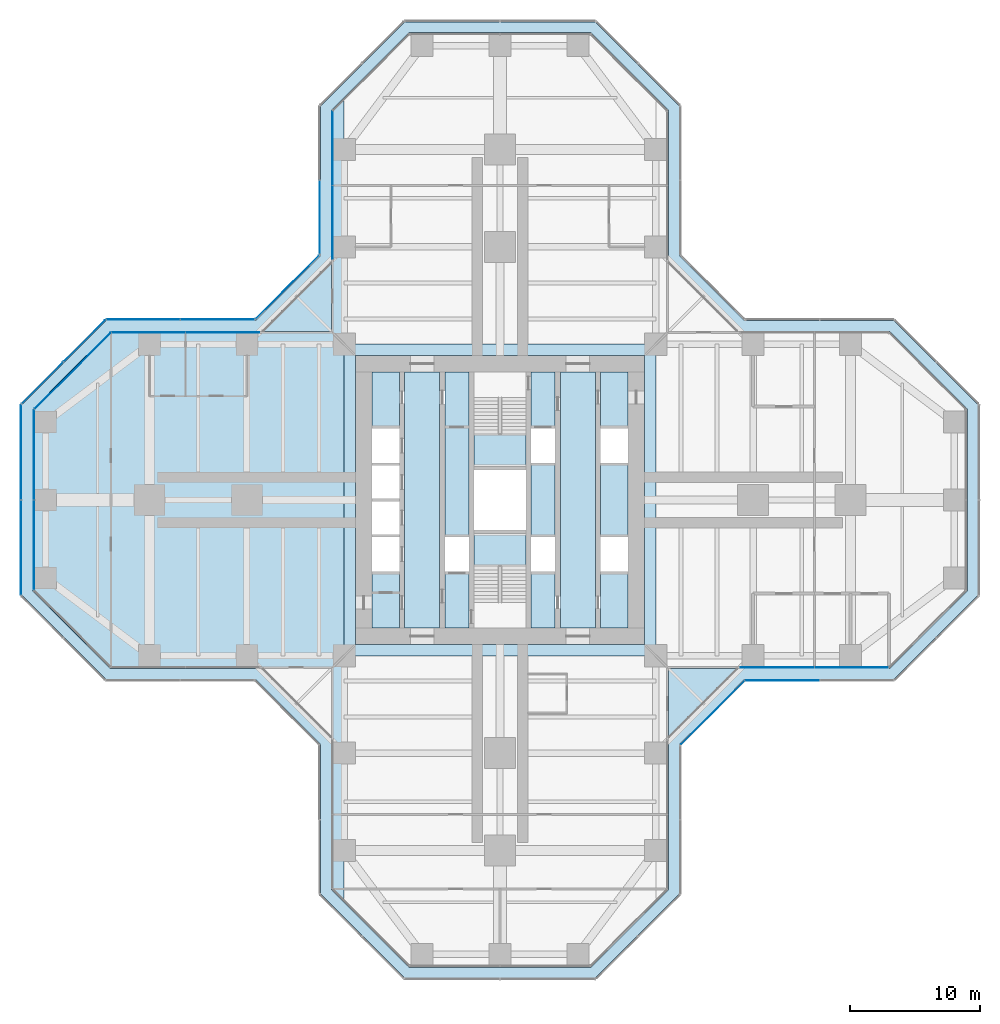
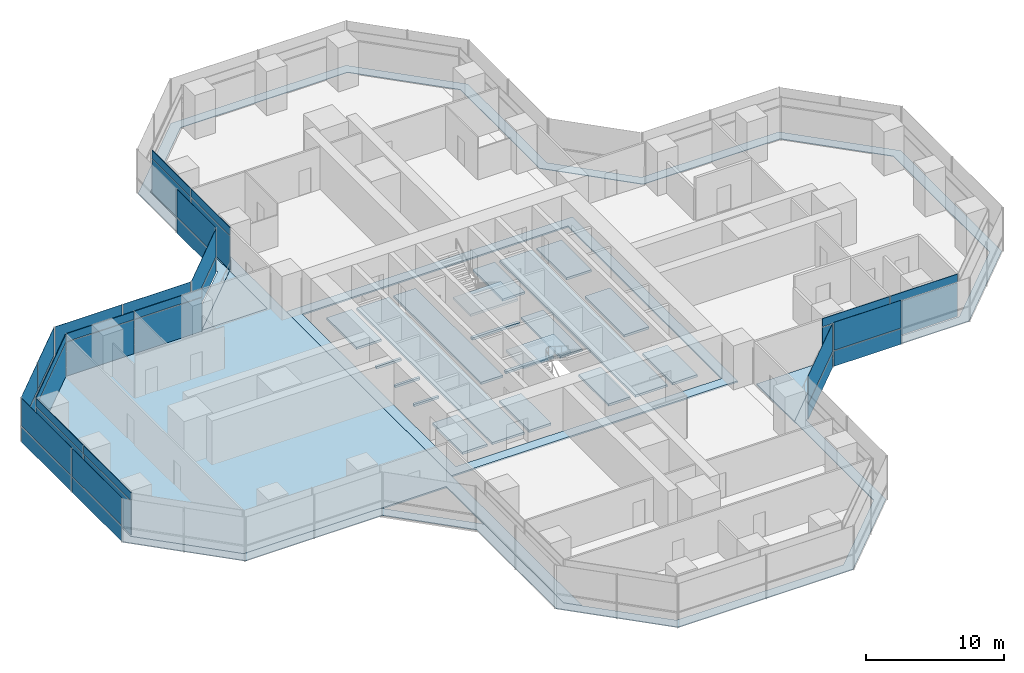
# One storey, part 15 of 22: 39 plates, 7 slabs, 14 elements without a shape of their own.
"""IFC4 building model written with IfcOpenShell, lengths in metres."""

from ifc_helpers import new_model, si_unit, direction, frame, origin, origin_2d, place, context, subcontext, project, spatial, polyline, rectangle, outline, extrude, material, layer, layer_set, type_object, element, aggregate, save


model = new_model("IFC4")

# Units and contexts
model_context = context("Model", 3, precision=1e-05, world=origin(), true_north=direction((0.0, 1.0)))
body_context = subcontext(model_context, "Body", "Model", "MODEL_VIEW")
ifc_project = project(units=[si_unit("LENGTHUNIT", "METRE"), si_unit("AREAUNIT", "SQUARE_METRE"), si_unit("VOLUMEUNIT", "CUBIC_METRE"), si_unit("PLANEANGLEUNIT", "RADIAN"), si_unit("MASSUNIT", "GRAM", prefix="KILO")], contexts=[model_context])

# Site, building, storey
site_placement = place(None, origin())
site = spatial("IfcSite", under=ifc_project, at=site_placement, CompositionType="ELEMENT")
building_placement = place(site_placement, origin())
building = spatial("IfcBuilding", under=site, at=building_placement, Name="Mizan Broadcast Tower", CompositionType="ELEMENT")
storey_placement = place(building_placement, frame((0.0, 0.0, 82.5)))
storey = spatial("IfcBuildingStorey", under=building, at=storey_placement, Name="L17", CompositionType="ELEMENT", Elevation=82.5)

# Plate
ifc_material_1 = material(Name="Aluminium grating", Category="aluminium")
ifc_layer_1 = layer(ifc_material_1, 0.050048828125)
ifc_layer_set_1 = layer_set([ifc_layer_1], Name="Aluminium grating")
plate_type_1 = type_object("IfcPlateType", Name="CAVITY GRATING", PredefinedType="USERDEFINED", material=ifc_layer_set_1)
plate_1_placement = place(storey_placement, frame((0.0, 0.0, -0.050048828125)))
element("IfcPlate", 1, at=plate_1_placement, inside=storey, type_object=plate_type_1, Name="Cavity grating L17", ObjectType="GRATING", PredefinedType="USERDEFINED", context=body_context, shape_type="SweptSolid", body=[
    extrude(outline(polyline([(13.820068359375, -18.839599609375), (18.839599609375, -13.820068359375), (30.339599609375, -13.820068359375), (36.820068359375, -7.339599609375), (36.820068359375, 7.339599609375), (30.339599609375, 13.820068359375), (18.839599609375, 13.820068359375), (13.820068359375, 18.839599609375), (13.820068359375, 30.339599609375), (7.339599609375, 36.820068359375), (-7.339599609375, 36.820068359375), (-13.820068359375, 30.339599609375), (-13.820068359375, 18.839599609375), (-18.839599609375, 13.820068359375), (-30.339599609375, 13.820068359375), (-36.820068359375, 7.339599609375), (-36.820068359375, -7.339599609375), (-30.339599609375, -13.820068359375), (-18.839599609375, -13.820068359375), (-13.820068359375, -18.839599609375), (-13.820068359375, -30.339599609375), (-7.339599609375, -36.820068359375), (7.339599609375, -36.820068359375), (13.820068359375, -30.339599609375), (13.820068359375, -18.839599609375)]), holes=[polyline([(36.0, 7.0), (36.0, -7.0), (30.0, -13.0), (18.5, -13.0), (13.0, -18.5), (13.0, -30.0), (7.0, -36.0), (-7.0, -36.0), (-13.0, -30.0), (-13.0, -18.5), (-18.5, -13.0), (-30.0, -13.0), (-36.0, -7.0), (-36.0, 7.0), (-30.0, 13.0), (-18.5, 13.0), (-13.0, 18.5), (-13.0, 30.0), (-7.0, 36.0), (7.0, 36.0), (13.0, 30.0), (13.0, 18.5), (18.5, 13.0), (30.0, 13.0), (36.0, 7.0)])]), origin(), (0.0, 0.0, 1.0), 0.050048828125),
])

# Slabs
ifc_material_2 = material(Name="Concrete C32/40", Category="concrete")
ifc_layer_2 = layer(ifc_material_2, 0.1298828125)
ifc_layer_set_2 = layer_set([ifc_layer_2], Name="Concrete C32/40")
slab_type_1 = type_object("IfcSlabType", Name="COMPOSITE DECK SLAB 130", PredefinedType="FLOOR", material=ifc_layer_set_2)
slab_1_placement = place(storey_placement, frame((0.0, 0.0, -0.1298828125)))
element("IfcSlab", 2, at=slab_1_placement, inside=storey, type_object=slab_type_1, Name="Floor slab L17 centre", PredefinedType="FLOOR", context=body_context, shape_type="SweptSolid", body=[
    extrude(outline(polyline([(-12.0, -12.0), (12.0, -12.0), (12.0, 12.0), (-12.0, 12.0), (-12.0, -12.0)]), holes=[polyline([(-11.14990234375, 11.14990234375), (11.14990234375, 11.14990234375), (11.14990234375, -11.14990234375), (-11.14990234375, -11.14990234375), (-11.14990234375, 11.14990234375)])]), origin(), (0.0, 0.0, 1.0), 0.1298828125),
])
slab_2_placement = place(storey_placement, frame((0.0, 0.0, -0.1298828125)))
element("IfcSlab", 3, at=slab_2_placement, inside=storey, type_object=slab_type_1, Name="Floor slab L17 west arm", PredefinedType="FLOOR", context=body_context, shape_type="SweptSolid", body=[
    extrude(outline(polyline([(-13.0, -30.0), (-12.0, -31.0), (-12.0, 31.0), (-13.0, 30.0), (-13.0, 13.0), (-30.0, 13.0), (-36.0, 7.0), (-36.0, -7.0), (-30.0, -13.0), (-13.0, -13.0), (-13.0, -30.0)])), origin(), (0.0, 0.0, 1.0), 0.1298828125),
])
ifc_material_3 = material(Name="Concrete C40/50", Category="concrete")
ifc_layer_3 = layer(ifc_material_3, 0.199951171875)
ifc_layer_set_3 = layer_set([ifc_layer_3], Name="Concrete C40/50")
slab_type_2 = type_object("IfcSlabType", Name="CORE FLOOR 200", PredefinedType="FLOOR", material=ifc_layer_set_3)
slab_3_placement = place(storey_placement, frame((0.0, 0.0, -0.199951171875)))
element("IfcSlab", 4, at=slab_3_placement, inside=storey, type_object=slab_type_2, Name="Core floor L17", PredefinedType="FLOOR", context=body_context, shape_type="SweptSolid", body=[
    extrude(outline(polyline([(-9.85009765625, -9.85009765625), (-7.75, -9.85009765625), (-7.75, -5.5), (-9.85009765625, -5.5), (-9.85009765625, -9.85009765625)])), origin(), (0.0, 0.0, 1.0), 0.199951171875),
    extrude(outline(polyline([(-9.85009765625, -2.85009765625), (-7.75, -2.85009765625), (-7.75, -2.64990234375), (-9.85009765625, -2.64990234375), (-9.85009765625, -2.85009765625)])), origin(), (0.0, 0.0, 1.0), 0.199951171875),
    extrude(outline(polyline([(-9.85009765625, -0.10009765625), (-7.75, -0.10009765625), (-7.75, 0.10009765625), (-9.85009765625, 0.10009765625), (-9.85009765625, -0.10009765625)])), origin(), (0.0, 0.0, 1.0), 0.199951171875),
    extrude(outline(polyline([(-9.85009765625, 2.64990234375), (-7.75, 2.64990234375), (-7.75, 2.85009765625), (-9.85009765625, 2.85009765625), (-9.85009765625, 2.64990234375)])), origin(), (0.0, 0.0, 1.0), 0.199951171875),
    extrude(outline(polyline([(-9.85009765625, 5.5), (-7.75, 5.5), (-7.75, 9.85009765625), (-9.85009765625, 9.85009765625), (-9.85009765625, 5.5)])), origin(), (0.0, 0.0, 1.0), 0.199951171875),
    extrude(outline(polyline([(-4.64990234375, 9.85009765625), (-7.35009765625, 9.85009765625), (-7.35009765625, -9.85009765625), (-4.64990234375, -9.85009765625), (-4.64990234375, 9.85009765625)])), origin(), (0.0, 0.0, 1.0), 0.199951171875),
    extrude(outline(polyline([(-4.25, -5.5), (-4.25, -9.85009765625), (-2.39990234375, -9.85009765625), (-2.39990234375, -5.5), (-4.25, -5.5)])), origin(), (0.0, 0.0, 1.0), 0.199951171875),
    extrude(outline(polyline([(-4.25, -2.85009765625), (-2.39990234375, -2.85009765625), (-2.39990234375, 9.85009765625), (-4.25, 9.85009765625), (-4.25, -2.85009765625)])), origin(), (0.0, 0.0, 1.0), 0.199951171875),
    extrude(outline(polyline([(2.0, -2.324951171875), (-2.0, -2.324951171875), (-2.0, -2.574951171875), (2.0, -2.574951171875), (2.0, -2.324951171875)])), origin(), (0.0, 0.0, 1.0), 0.199951171875),
    extrude(outline(polyline([(2.0, 2.574951171875), (-2.0, 2.574951171875), (-2.0, 2.324951171875), (2.0, 2.324951171875), (2.0, 2.574951171875)])), origin(), (0.0, 0.0, 1.0), 0.199951171875),
    extrude(outline(polyline([(4.25, -9.85009765625), (4.25, -5.5), (2.39990234375, -5.5), (2.39990234375, -9.85009765625), (4.25, -9.85009765625)])), origin(), (0.0, 0.0, 1.0), 0.199951171875),
    extrude(outline(polyline([(4.25, -2.85009765625), (4.25, 2.85009765625), (2.39990234375, 2.85009765625), (2.39990234375, -2.85009765625), (4.25, -2.85009765625)])), origin(), (0.0, 0.0, 1.0), 0.199951171875),
    extrude(outline(polyline([(4.25, 5.5), (4.25, 9.85009765625), (2.39990234375, 9.85009765625), (2.39990234375, 5.5), (4.25, 5.5)])), origin(), (0.0, 0.0, 1.0), 0.199951171875),
    extrude(outline(polyline([(4.64990234375, 9.85009765625), (4.64990234375, -9.85009765625), (7.35009765625, -9.85009765625), (7.35009765625, 9.85009765625), (4.64990234375, 9.85009765625)])), origin(), (0.0, 0.0, 1.0), 0.199951171875),
    extrude(outline(polyline([(9.85009765625, -9.85009765625), (9.85009765625, -5.5), (7.75, -5.5), (7.75, -9.85009765625), (9.85009765625, -9.85009765625)])), origin(), (0.0, 0.0, 1.0), 0.199951171875),
    extrude(outline(polyline([(7.75, 2.85009765625), (7.75, -2.85009765625), (9.85009765625, -2.85009765625), (9.85009765625, 2.85009765625), (7.75, 2.85009765625)])), origin(), (0.0, 0.0, 1.0), 0.199951171875),
    extrude(outline(polyline([(9.85009765625, 5.5), (9.85009765625, 9.85009765625), (7.75, 9.85009765625), (7.75, 5.5), (9.85009765625, 5.5)])), origin(), (0.0, 0.0, 1.0), 0.199951171875),
])

# Curtain wall, plates
ifc_material_4 = material(Name="Aluminium framed glazing", Category="aluminium")
curtain_wall_type_1 = type_object("IfcCurtainWallType", Name="INNER SKIN LOW ZONE", PredefinedType="USERDEFINED", material=ifc_material_4)
curtain_wall_1_placement = place(storey_placement, origin())
curtain_wall_1 = element("IfcCurtainWall", 5, at=curtain_wall_1_placement, inside=storey, type_object=curtain_wall_type_1, Name="Inner skin low zone L17 E side", ObjectType="INNER SKIN LOW ZONE", PredefinedType="USERDEFINED")
ifc_material_5 = material(Name="Double glazing, clear low-e", Category="glass")
ifc_layer_4 = layer(ifc_material_5, 0.028076171875)
ifc_layer_set_4 = layer_set([ifc_layer_4], Name="Double glazing, clear low-e")
plate_type_2 = type_object("IfcPlateType", Name="INNER SKIN GLAZING UNIT", PredefinedType="CURTAIN_PANEL", material=ifc_layer_set_4)
plate_2_placement = place(storey_placement, frame((21.379638671875, -12.89990234375, 0.0), z_axis=(0.0, 0.0, 1.0), x_axis=(1.0, 0.0, 0.0)))
plate_2 = element("IfcPlate", 6, at=plate_2_placement, type_object=plate_type_2, Name="Inner skin low zone L17 E side panel 1.1", PredefinedType="CURTAIN_PANEL", context=body_context, shape_type="SweptSolid", body=[
    extrude(rectangle(XDim=5.639404296875, YDim=0.028076171875, at=origin_2d()), origin(), (0.0, 0.0, 1.0), 3.0),
])
plate_3_placement = place(storey_placement, frame((27.078857421875, -12.89990234375, 0.0), z_axis=(0.0, 0.0, 1.0), x_axis=(1.0, 0.0, 0.0)))
plate_3 = element("IfcPlate", 7, at=plate_3_placement, type_object=plate_type_2, Name="Inner skin low zone L17 E side panel 2.1", PredefinedType="CURTAIN_PANEL", context=body_context, shape_type="SweptSolid", body=[
    extrude(rectangle(XDim=5.639404296875, YDim=0.028076171875, at=origin_2d()), origin(), (0.0, 0.0, 1.0), 3.0),
])

curtain_wall_2_placement = place(storey_placement, origin())
curtain_wall_2 = element("IfcCurtainWall", 8, at=curtain_wall_2_placement, inside=storey, type_object=curtain_wall_type_1, Name="Inner skin low zone L17 N side", ObjectType="INNER SKIN LOW ZONE", PredefinedType="USERDEFINED")
plate_4_placement = place(storey_placement, frame((-12.89990234375, 27.078857421875, 0.0), z_axis=(0.0, 0.0, 1.0), x_axis=(0.0, -1.0, 0.0)))
plate_4 = element("IfcPlate", 9, at=plate_4_placement, type_object=plate_type_2, Name="Inner skin low zone L17 N side panel 1.1", PredefinedType="CURTAIN_PANEL", context=body_context, shape_type="SweptSolid", body=[
    extrude(rectangle(XDim=5.639404296875, YDim=0.028076171875, at=origin_2d()), origin(), (0.0, 0.0, 1.0), 3.0),
])
plate_5_placement = place(storey_placement, frame((-12.89990234375, 21.379638671875, 0.0), z_axis=(0.0, 0.0, 1.0), x_axis=(0.0, -1.0, 0.0)))
plate_5 = element("IfcPlate", 10, at=plate_5_placement, type_object=plate_type_2, Name="Inner skin low zone L17 N side panel 2.1", PredefinedType="CURTAIN_PANEL", context=body_context, shape_type="SweptSolid", body=[
    extrude(rectangle(XDim=5.639404296875, YDim=0.028076171875, at=origin_2d()), origin(), (0.0, 0.0, 1.0), 3.0),
])

curtain_wall_3_placement = place(storey_placement, origin())
curtain_wall_3 = element("IfcCurtainWall", 11, at=curtain_wall_3_placement, inside=storey, type_object=curtain_wall_type_1, Name="Inner skin low zone L17 W side", ObjectType="INNER SKIN LOW ZONE", PredefinedType="USERDEFINED")
plate_6_placement = place(storey_placement, frame((-21.379638671875, 12.89990234375, 0.0), z_axis=(0.0, 0.0, 1.0), x_axis=(-1.0, 0.0, 0.0)))
plate_6 = element("IfcPlate", 12, at=plate_6_placement, type_object=plate_type_2, Name="Inner skin low zone L17 W side panel 1.1", PredefinedType="CURTAIN_PANEL", context=body_context, shape_type="SweptSolid", body=[
    extrude(rectangle(XDim=5.639404296875, YDim=0.028076171875, at=origin_2d()), origin(), (0.0, 0.0, 1.0), 3.0),
])
plate_7_placement = place(storey_placement, frame((-27.078857421875, 12.89990234375, 0.0), z_axis=(0.0, 0.0, 1.0), x_axis=(-1.0, 0.0, 0.0)))
plate_7 = element("IfcPlate", 13, at=plate_7_placement, type_object=plate_type_2, Name="Inner skin low zone L17 W side panel 2.1", PredefinedType="CURTAIN_PANEL", context=body_context, shape_type="SweptSolid", body=[
    extrude(rectangle(XDim=5.639404296875, YDim=0.028076171875, at=origin_2d()), origin(), (0.0, 0.0, 1.0), 3.0),
])

# Curtain wall, plate
curtain_wall_4_placement = place(storey_placement, origin())
curtain_wall_4 = element("IfcCurtainWall", 14, at=curtain_wall_4_placement, inside=storey, type_object=curtain_wall_type_1, Name="Inner skin low zone L17 W chamfer", ObjectType="INNER SKIN LOW ZONE", PredefinedType="USERDEFINED")
plate_8_placement = place(storey_placement, frame((-32.92919921875, 9.92919921875, 0.0), z_axis=(0.0, 0.0, 1.0), x_axis=(-0.707106781187, -0.707106781187, 0.0)))
plate_8 = element("IfcPlate", 15, at=plate_8_placement, type_object=plate_type_2, Name="Inner skin low zone L17 W chamfer panel 1.1", PredefinedType="CURTAIN_PANEL", context=body_context, shape_type="SweptSolid", body=[
    extrude(rectangle(XDim=8.282470703125, YDim=0.028076171875, at=origin_2d()), origin(), (0.0, 0.0, 1.0), 3.0),
])

# Curtain wall, plates
curtain_wall_5_placement = place(storey_placement, origin())
curtain_wall_5 = element("IfcCurtainWall", 16, at=curtain_wall_5_placement, inside=storey, type_object=curtain_wall_type_1, Name="Inner skin low zone L17 W end", ObjectType="INNER SKIN LOW ZONE", PredefinedType="USERDEFINED")
plate_9_placement = place(storey_placement, frame((-35.89990234375, 3.46435546875, 0.0), z_axis=(0.0, 0.0, 1.0), x_axis=(0.0, -1.0, 0.0)))
plate_9 = element("IfcPlate", 17, at=plate_9_placement, type_object=plate_type_2, Name="Inner skin low zone L17 W end panel 1.1", PredefinedType="CURTAIN_PANEL", context=body_context, shape_type="SweptSolid", body=[
    extrude(rectangle(XDim=6.86865234375, YDim=0.028076171875, at=origin_2d()), origin(), (0.0, 0.0, 1.0), 3.0),
])
plate_10_placement = place(storey_placement, frame((-35.89990234375, -3.46435546875, 0.0), z_axis=(0.0, 0.0, 1.0), x_axis=(0.0, -1.0, 0.0)))
plate_10 = element("IfcPlate", 18, at=plate_10_placement, type_object=plate_type_2, Name="Inner skin low zone L17 W end panel 2.1", PredefinedType="CURTAIN_PANEL", context=body_context, shape_type="SweptSolid", body=[
    extrude(rectangle(XDim=6.86865234375, YDim=0.028076171875, at=origin_2d()), origin(), (0.0, 0.0, 1.0), 3.0),
])

# Plate
ifc_material_6 = material(Name="Insulated aluminium spandrel panel, pale anodised", Category="aluminium")
ifc_layer_5 = layer(ifc_material_6, 0.050048828125)
ifc_layer_set_5 = layer_set([ifc_layer_5], Name="Insulated aluminium spandrel panel, pale anodised")
plate_type_3 = type_object("IfcPlateType", Name="INNER SKIN SPANDREL PANEL", PredefinedType="CURTAIN_PANEL", material=ifc_layer_set_5)
plate_11_placement = place(storey_placement, frame((21.379638671875, -12.89990234375, 3.06005859375), z_axis=(0.0, 0.0, 1.0), x_axis=(1.0, 0.0, 0.0)))
plate_11 = element("IfcPlate", 19, at=plate_11_placement, type_object=plate_type_3, Name="Inner skin low zone L17 E side panel 1.2", PredefinedType="CURTAIN_PANEL", context=body_context, shape_type="SweptSolid", body=[
    extrude(rectangle(XDim=5.639404296875, YDim=0.050048828125, at=origin_2d()), origin(), (0.0, 0.0, 1.0), 0.7099609375),
])

plate_12_placement = place(storey_placement, frame((27.078857421875, -12.89990234375, 3.06005859375), z_axis=(0.0, 0.0, 1.0), x_axis=(1.0, 0.0, 0.0)))
plate_12 = element("IfcPlate", 20, at=plate_12_placement, type_object=plate_type_3, Name="Inner skin low zone L17 E side panel 2.2", PredefinedType="CURTAIN_PANEL", context=body_context, shape_type="SweptSolid", body=[
    extrude(rectangle(XDim=5.639404296875, YDim=0.050048828125, at=origin_2d()), origin(), (0.0, 0.0, 1.0), 0.7099609375),
])

aggregate(curtain_wall_1, [plate_2, plate_11, plate_3, plate_12])

plate_13_placement = place(storey_placement, frame((-12.89990234375, 27.078857421875, 3.06005859375), z_axis=(0.0, 0.0, 1.0), x_axis=(0.0, -1.0, 0.0)))
plate_13 = element("IfcPlate", 21, at=plate_13_placement, type_object=plate_type_3, Name="Inner skin low zone L17 N side panel 1.2", PredefinedType="CURTAIN_PANEL", context=body_context, shape_type="SweptSolid", body=[
    extrude(rectangle(XDim=5.639404296875, YDim=0.050048828125, at=origin_2d()), origin(), (0.0, 0.0, 1.0), 0.7099609375),
])

plate_14_placement = place(storey_placement, frame((-12.89990234375, 21.379638671875, 3.06005859375), z_axis=(0.0, 0.0, 1.0), x_axis=(0.0, -1.0, 0.0)))
plate_14 = element("IfcPlate", 22, at=plate_14_placement, type_object=plate_type_3, Name="Inner skin low zone L17 N side panel 2.2", PredefinedType="CURTAIN_PANEL", context=body_context, shape_type="SweptSolid", body=[
    extrude(rectangle(XDim=5.639404296875, YDim=0.050048828125, at=origin_2d()), origin(), (0.0, 0.0, 1.0), 0.7099609375),
])

aggregate(curtain_wall_2, [plate_4, plate_13, plate_5, plate_14])

plate_15_placement = place(storey_placement, frame((-21.379638671875, 12.89990234375, 3.06005859375), z_axis=(0.0, 0.0, 1.0), x_axis=(-1.0, 0.0, 0.0)))
plate_15 = element("IfcPlate", 23, at=plate_15_placement, type_object=plate_type_3, Name="Inner skin low zone L17 W side panel 1.2", PredefinedType="CURTAIN_PANEL", context=body_context, shape_type="SweptSolid", body=[
    extrude(rectangle(XDim=5.639404296875, YDim=0.050048828125, at=origin_2d()), origin(), (0.0, 0.0, 1.0), 0.7099609375),
])

plate_16_placement = place(storey_placement, frame((-27.078857421875, 12.89990234375, 3.06005859375), z_axis=(0.0, 0.0, 1.0), x_axis=(-1.0, 0.0, 0.0)))
plate_16 = element("IfcPlate", 24, at=plate_16_placement, type_object=plate_type_3, Name="Inner skin low zone L17 W side panel 2.2", PredefinedType="CURTAIN_PANEL", context=body_context, shape_type="SweptSolid", body=[
    extrude(rectangle(XDim=5.639404296875, YDim=0.050048828125, at=origin_2d()), origin(), (0.0, 0.0, 1.0), 0.7099609375),
])

aggregate(curtain_wall_3, [plate_6, plate_15, plate_7, plate_16])

plate_17_placement = place(storey_placement, frame((-32.92919921875, 9.92919921875, 3.06005859375), z_axis=(0.0, 0.0, 1.0), x_axis=(-0.707106781187, -0.707106781187, 0.0)))
plate_17 = element("IfcPlate", 25, at=plate_17_placement, type_object=plate_type_3, Name="Inner skin low zone L17 W chamfer panel 1.2", PredefinedType="CURTAIN_PANEL", context=body_context, shape_type="SweptSolid", body=[
    extrude(rectangle(XDim=8.282470703125, YDim=0.050048828125, at=origin_2d()), origin(), (0.0, 0.0, 1.0), 0.7099609375),
])

aggregate(curtain_wall_4, [plate_8, plate_17])

plate_18_placement = place(storey_placement, frame((-35.89990234375, 3.46435546875, 3.06005859375), z_axis=(0.0, 0.0, 1.0), x_axis=(0.0, -1.0, 0.0)))
plate_18 = element("IfcPlate", 26, at=plate_18_placement, type_object=plate_type_3, Name="Inner skin low zone L17 W end panel 1.2", PredefinedType="CURTAIN_PANEL", context=body_context, shape_type="SweptSolid", body=[
    extrude(rectangle(XDim=6.86865234375, YDim=0.050048828125, at=origin_2d()), origin(), (0.0, 0.0, 1.0), 0.7099609375),
])

plate_19_placement = place(storey_placement, frame((-35.89990234375, -3.46435546875, 3.06005859375), z_axis=(0.0, 0.0, 1.0), x_axis=(0.0, -1.0, 0.0)))
plate_19 = element("IfcPlate", 27, at=plate_19_placement, type_object=plate_type_3, Name="Inner skin low zone L17 W end panel 2.2", PredefinedType="CURTAIN_PANEL", context=body_context, shape_type="SweptSolid", body=[
    extrude(rectangle(XDim=6.86865234375, YDim=0.050048828125, at=origin_2d()), origin(), (0.0, 0.0, 1.0), 0.7099609375),
])

aggregate(curtain_wall_5, [plate_9, plate_18, plate_10, plate_19])

# Curtain wall, plates
ifc_material_7 = material(Name="Aluminium framed glazing", Category="aluminium")
curtain_wall_type_2 = type_object("IfcCurtainWallType", Name="OUTER SKIN", PredefinedType="USERDEFINED", material=ifc_material_7)
curtain_wall_6_placement = place(storey_placement, origin())
curtain_wall_6 = element("IfcCurtainWall", 28, at=curtain_wall_6_placement, inside=storey, type_object=curtain_wall_type_2, Name="Outer skin L17 W chamfer", ObjectType="OUTER SKIN", PredefinedType="USERDEFINED")
ifc_material_8 = material(Name="Laminated clear glass", Category="glass")
ifc_layer_6 = layer(ifc_material_8, 0.02001953125)
ifc_layer_set_6 = layer_set([ifc_layer_6], Name="Laminated clear glass")
plate_type_4 = type_object("IfcPlateType", Name="OUTER SKIN CLEAR GLASS", PredefinedType="CURTAIN_PANEL", material=ifc_layer_set_6)
plate_20_placement = place(storey_placement, frame((-16.386474609375, 16.386474609375, 0.0), z_axis=(0.0, 0.0, 1.0), x_axis=(-0.707106781187, -0.707106781187, 0.0)))
plate_20 = element("IfcPlate", 29, at=plate_20_placement, type_object=plate_type_4, Name="Outer skin L17 W chamfer panel 1.1", PredefinedType="CURTAIN_PANEL", context=body_context, shape_type="SweptSolid", body=[
    extrude(rectangle(XDim=6.87255859375, YDim=0.02001953125, at=origin_2d()), origin(), (0.0, 0.0, 1.0), 1.3701171875),
])
plate_21_placement = place(storey_placement, frame((-16.386474609375, 16.386474609375, 1.43017578125), z_axis=(0.0, 0.0, 1.0), x_axis=(-0.707106781187, -0.707106781187, 0.0)))
plate_21 = element("IfcPlate", 30, at=plate_21_placement, type_object=plate_type_4, Name="Outer skin L17 W chamfer panel 1.2", PredefinedType="CURTAIN_PANEL", context=body_context, shape_type="SweptSolid", body=[
    extrude(rectangle(XDim=6.87255859375, YDim=0.02001953125, at=origin_2d()), origin(), (0.0, 0.0, 1.0), 2.469970703125),
])
aggregate(curtain_wall_6, [plate_20, plate_21])

curtain_wall_7_placement = place(storey_placement, origin())
curtain_wall_7 = element("IfcCurtainWall", 31, at=curtain_wall_7_placement, inside=storey, type_object=curtain_wall_type_2, Name="Outer skin L17 W side", ObjectType="OUTER SKIN", PredefinedType="USERDEFINED")
plate_22_placement = place(storey_placement, frame((-21.767822265625, 13.89990234375, 0.0), z_axis=(0.0, 0.0, 1.0), x_axis=(-1.0, 0.0, 0.0)))
plate_22 = element("IfcPlate", 32, at=plate_22_placement, type_object=plate_type_4, Name="Outer skin L17 W side panel 1.1", PredefinedType="CURTAIN_PANEL", context=body_context, shape_type="SweptSolid", body=[
    extrude(rectangle(XDim=5.6298828125, YDim=0.02001953125, at=origin_2d()), origin(), (0.0, 0.0, 1.0), 1.3701171875),
])
plate_23_placement = place(storey_placement, frame((-21.767822265625, 13.89990234375, 1.43017578125), z_axis=(0.0, 0.0, 1.0), x_axis=(-1.0, 0.0, 0.0)))
plate_23 = element("IfcPlate", 33, at=plate_23_placement, type_object=plate_type_4, Name="Outer skin L17 W side panel 1.2", PredefinedType="CURTAIN_PANEL", context=body_context, shape_type="SweptSolid", body=[
    extrude(rectangle(XDim=5.6298828125, YDim=0.02001953125, at=origin_2d()), origin(), (0.0, 0.0, 1.0), 2.469970703125),
])
plate_24_placement = place(storey_placement, frame((-27.477783203125, 13.89990234375, 0.0), z_axis=(0.0, 0.0, 1.0), x_axis=(-1.0, 0.0, 0.0)))
plate_24 = element("IfcPlate", 34, at=plate_24_placement, type_object=plate_type_4, Name="Outer skin L17 W side panel 2.1", PredefinedType="CURTAIN_PANEL", context=body_context, shape_type="SweptSolid", body=[
    extrude(rectangle(XDim=5.6298828125, YDim=0.02001953125, at=origin_2d()), origin(), (0.0, 0.0, 1.0), 1.3701171875),
])
plate_25_placement = place(storey_placement, frame((-27.477783203125, 13.89990234375, 1.43017578125), z_axis=(0.0, 0.0, 1.0), x_axis=(-1.0, 0.0, 0.0)))
plate_25 = element("IfcPlate", 35, at=plate_25_placement, type_object=plate_type_4, Name="Outer skin L17 W side panel 2.2", PredefinedType="CURTAIN_PANEL", context=body_context, shape_type="SweptSolid", body=[
    extrude(rectangle(XDim=5.6298828125, YDim=0.02001953125, at=origin_2d()), origin(), (0.0, 0.0, 1.0), 2.469970703125),
])
aggregate(curtain_wall_7, [plate_22, plate_23, plate_24, plate_25])

curtain_wall_8_placement = place(storey_placement, origin())
curtain_wall_8 = element("IfcCurtainWall", 36, at=curtain_wall_8_placement, inside=storey, type_object=curtain_wall_type_2, Name="Outer skin L17 W chamfer", ObjectType="OUTER SKIN", PredefinedType="USERDEFINED")
plate_26_placement = place(storey_placement, frame((-32.018798828125, 12.254150390625, 0.0), z_axis=(0.0, 0.0, 1.0), x_axis=(-0.707106781187, -0.707106781187, 0.0)))
plate_26 = element("IfcPlate", 37, at=plate_26_placement, type_object=plate_type_4, Name="Outer skin L17 W chamfer panel 1.1", PredefinedType="CURTAIN_PANEL", context=body_context, shape_type="SweptSolid", body=[
    extrude(rectangle(XDim=4.495361328125, YDim=0.02001953125, at=origin_2d()), origin(), (0.0, 0.0, 1.0), 1.3701171875),
])
plate_27_placement = place(storey_placement, frame((-32.018798828125, 12.254150390625, 1.43017578125), z_axis=(0.0, 0.0, 1.0), x_axis=(-0.707106781187, -0.707106781187, 0.0)))
plate_27 = element("IfcPlate", 38, at=plate_27_placement, type_object=plate_type_4, Name="Outer skin L17 W chamfer panel 1.2", PredefinedType="CURTAIN_PANEL", context=body_context, shape_type="SweptSolid", body=[
    extrude(rectangle(XDim=4.495361328125, YDim=0.02001953125, at=origin_2d()), origin(), (0.0, 0.0, 1.0), 2.469970703125),
])

curtain_wall_9_placement = place(storey_placement, origin())
curtain_wall_9 = element("IfcCurtainWall", 39, at=curtain_wall_9_placement, inside=storey, type_object=curtain_wall_type_2, Name="Outer skin L17 W end", ObjectType="OUTER SKIN", PredefinedType="USERDEFINED")
plate_28_placement = place(storey_placement, frame((-36.89990234375, 3.66650390625, 0.0), z_axis=(0.0, 0.0, 1.0), x_axis=(0.0, -1.0, 0.0)))
plate_28 = element("IfcPlate", 40, at=plate_28_placement, type_object=plate_type_4, Name="Outer skin L17 W end panel 1.1", PredefinedType="CURTAIN_PANEL", context=body_context, shape_type="SweptSolid", body=[
    extrude(rectangle(XDim=7.252685546875, YDim=0.02001953125, at=origin_2d()), origin(), (0.0, 0.0, 1.0), 1.3701171875),
])
plate_29_placement = place(storey_placement, frame((-36.89990234375, 3.66650390625, 1.43017578125), z_axis=(0.0, 0.0, 1.0), x_axis=(0.0, -1.0, 0.0)))
plate_29 = element("IfcPlate", 41, at=plate_29_placement, type_object=plate_type_4, Name="Outer skin L17 W end panel 1.2", PredefinedType="CURTAIN_PANEL", context=body_context, shape_type="SweptSolid", body=[
    extrude(rectangle(XDim=7.252685546875, YDim=0.02001953125, at=origin_2d()), origin(), (0.0, 0.0, 1.0), 2.469970703125),
])

curtain_wall_10_placement = place(storey_placement, origin())
curtain_wall_10 = element("IfcCurtainWall", 42, at=curtain_wall_10_placement, inside=storey, type_object=curtain_wall_type_2, Name="Outer skin L17 E chamfer", ObjectType="OUTER SKIN", PredefinedType="USERDEFINED")
plate_30_placement = place(storey_placement, frame((16.386474609375, -16.386474609375, 0.0), z_axis=(0.0, 0.0, 1.0), x_axis=(0.707106781187, 0.707106781187, 0.0)))
plate_30 = element("IfcPlate", 43, at=plate_30_placement, type_object=plate_type_4, Name="Outer skin L17 E chamfer panel 1.1", PredefinedType="CURTAIN_PANEL", context=body_context, shape_type="SweptSolid", body=[
    extrude(rectangle(XDim=6.87255859375, YDim=0.02001953125, at=origin_2d()), origin(), (0.0, 0.0, 1.0), 1.3701171875),
])
plate_31_placement = place(storey_placement, frame((16.386474609375, -16.386474609375, 1.43017578125), z_axis=(0.0, 0.0, 1.0), x_axis=(0.707106781187, 0.707106781187, 0.0)))
plate_31 = element("IfcPlate", 44, at=plate_31_placement, type_object=plate_type_4, Name="Outer skin L17 E chamfer panel 1.2", PredefinedType="CURTAIN_PANEL", context=body_context, shape_type="SweptSolid", body=[
    extrude(rectangle(XDim=6.87255859375, YDim=0.02001953125, at=origin_2d()), origin(), (0.0, 0.0, 1.0), 2.469970703125),
])
aggregate(curtain_wall_10, [plate_30, plate_31])

curtain_wall_11_placement = place(storey_placement, origin())
curtain_wall_11 = element("IfcCurtainWall", 45, at=curtain_wall_11_placement, inside=storey, type_object=curtain_wall_type_2, Name="Outer skin L17 E side", ObjectType="OUTER SKIN", PredefinedType="USERDEFINED")
plate_32_placement = place(storey_placement, frame((21.767822265625, -13.89990234375, 0.0), z_axis=(0.0, 0.0, 1.0), x_axis=(1.0, 0.0, 0.0)))
plate_32 = element("IfcPlate", 46, at=plate_32_placement, type_object=plate_type_4, Name="Outer skin L17 E side panel 1.1", PredefinedType="CURTAIN_PANEL", context=body_context, shape_type="SweptSolid", body=[
    extrude(rectangle(XDim=5.6298828125, YDim=0.02001953125, at=origin_2d()), origin(), (0.0, 0.0, 1.0), 1.3701171875),
])
plate_33_placement = place(storey_placement, frame((21.767822265625, -13.89990234375, 1.43017578125), z_axis=(0.0, 0.0, 1.0), x_axis=(1.0, 0.0, 0.0)))
plate_33 = element("IfcPlate", 47, at=plate_33_placement, type_object=plate_type_4, Name="Outer skin L17 E side panel 1.2", PredefinedType="CURTAIN_PANEL", context=body_context, shape_type="SweptSolid", body=[
    extrude(rectangle(XDim=5.6298828125, YDim=0.02001953125, at=origin_2d()), origin(), (0.0, 0.0, 1.0), 2.469970703125),
])
aggregate(curtain_wall_11, [plate_32, plate_33])

curtain_wall_12_placement = place(storey_placement, origin())
curtain_wall_12 = element("IfcCurtainWall", 48, at=curtain_wall_12_placement, inside=storey, type_object=curtain_wall_type_2, Name="Outer skin L17 N side", ObjectType="OUTER SKIN", PredefinedType="USERDEFINED")
ifc_material_9 = material(Name="Perforated aluminium, pale anodised", Category="aluminium")
ifc_layer_7 = layer(ifc_material_9, 0.011962890625)
ifc_layer_set_7 = layer_set([ifc_layer_7], Name="Perforated aluminium, pale anodised")
plate_type_5 = type_object("IfcPlateType", Name="OUTER SKIN PERFORATED SCREEN", PredefinedType="USERDEFINED", material=ifc_layer_set_7)
plate_34_placement = place(storey_placement, frame((-13.89990234375, 21.767822265625, 0.0), z_axis=(0.0, 0.0, 1.0), x_axis=(0.0, -1.0, 0.0)))
plate_34 = element("IfcPlate", 49, at=plate_34_placement, type_object=plate_type_5, Name="Outer skin L17 N side panel 2.1", ObjectType="SCREEN", PredefinedType="USERDEFINED", context=body_context, shape_type="SweptSolid", body=[
    extrude(rectangle(XDim=5.6298828125, YDim=0.011962890625, at=origin_2d()), origin(), (0.0, 0.0, 1.0), 1.3701171875),
])
plate_35_placement = place(storey_placement, frame((-13.89990234375, 21.767822265625, 1.43017578125), z_axis=(0.0, 0.0, 1.0), x_axis=(0.0, -1.0, 0.0)))
plate_35 = element("IfcPlate", 50, at=plate_35_placement, type_object=plate_type_5, Name="Outer skin L17 N side panel 2.2", ObjectType="SCREEN", PredefinedType="USERDEFINED", context=body_context, shape_type="SweptSolid", body=[
    extrude(rectangle(XDim=5.6298828125, YDim=0.011962890625, at=origin_2d()), origin(), (0.0, 0.0, 1.0), 2.469970703125),
])
aggregate(curtain_wall_12, [plate_34, plate_35])

# Plate
plate_36_placement = place(storey_placement, frame((-35.254150390625, 9.018798828125, 0.0), z_axis=(0.0, 0.0, 1.0), x_axis=(-0.707106781187, -0.707106781187, 0.0)))
plate_36 = element("IfcPlate", 51, at=plate_36_placement, type_object=plate_type_5, Name="Outer skin L17 W chamfer panel 2.1", ObjectType="SCREEN", PredefinedType="USERDEFINED", context=body_context, shape_type="SweptSolid", body=[
    extrude(rectangle(XDim=4.495361328125, YDim=0.011962890625, at=origin_2d()), origin(), (0.0, 0.0, 1.0), 1.3701171875),
])

plate_37_placement = place(storey_placement, frame((-35.254150390625, 9.018798828125, 1.43017578125), z_axis=(0.0, 0.0, 1.0), x_axis=(-0.707106781187, -0.707106781187, 0.0)))
plate_37 = element("IfcPlate", 52, at=plate_37_placement, type_object=plate_type_5, Name="Outer skin L17 W chamfer panel 2.2", ObjectType="SCREEN", PredefinedType="USERDEFINED", context=body_context, shape_type="SweptSolid", body=[
    extrude(rectangle(XDim=4.495361328125, YDim=0.011962890625, at=origin_2d()), origin(), (0.0, 0.0, 1.0), 2.469970703125),
])

aggregate(curtain_wall_8, [plate_26, plate_27, plate_36, plate_37])

plate_38_placement = place(storey_placement, frame((-36.89990234375, -3.66650390625, 0.0), z_axis=(0.0, 0.0, 1.0), x_axis=(0.0, -1.0, 0.0)))
plate_38 = element("IfcPlate", 53, at=plate_38_placement, type_object=plate_type_5, Name="Outer skin L17 W end panel 2.1", ObjectType="SCREEN", PredefinedType="USERDEFINED", context=body_context, shape_type="SweptSolid", body=[
    extrude(rectangle(XDim=7.252685546875, YDim=0.011962890625, at=origin_2d()), origin(), (0.0, 0.0, 1.0), 1.3701171875),
])

plate_39_placement = place(storey_placement, frame((-36.89990234375, -3.66650390625, 1.43017578125), z_axis=(0.0, 0.0, 1.0), x_axis=(0.0, -1.0, 0.0)))
plate_39 = element("IfcPlate", 54, at=plate_39_placement, type_object=plate_type_5, Name="Outer skin L17 W end panel 2.2", ObjectType="SCREEN", PredefinedType="USERDEFINED", context=body_context, shape_type="SweptSolid", body=[
    extrude(rectangle(XDim=7.252685546875, YDim=0.011962890625, at=origin_2d()), origin(), (0.0, 0.0, 1.0), 2.469970703125),
])

aggregate(curtain_wall_9, [plate_28, plate_29, plate_38, plate_39])

# Stair, slab
ifc_material_10 = material(Name="Concrete C40/50", Category="concrete")
stair_type = type_object("IfcStairType", Name="EXIT STAIR", PredefinedType="HALF_TURN_STAIR", material=ifc_material_10)
stair_1_placement = place(storey_placement, origin())
stair_1 = element("IfcStair", 55, at=stair_1_placement, inside=storey, type_object=stair_type, Name="Stair A L17", PredefinedType="HALF_TURN_STAIR")
ifc_material_11 = material(Name="Concrete C40/50", Category="concrete")
ifc_layer_8 = layer(ifc_material_11, 0.199951171875)
ifc_layer_set_8 = layer_set([ifc_layer_8], Name="Concrete C40/50")
slab_type_3 = type_object("IfcSlabType", Name="STAIR LANDING 200", PredefinedType="LANDING", material=ifc_layer_set_8)
slab_4_placement = place(storey_placement, frame((0.0, 0.0, 1.75)))
slab_4 = element("IfcSlab", 56, at=slab_4_placement, type_object=slab_type_3, Name="A landing 2", PredefinedType="LANDING", context=body_context, shape_type="SweptSolid", body=[
    extrude(outline(polyline([(-2.0, -5.10009765625), (-2.0, -2.574951171875), (2.0, -2.574951171875), (2.0, -5.10009765625), (-2.0, -5.10009765625)])), origin(), (0.0, 0.0, 1.0), 0.199951171875),
])
aggregate(stair_1, [slab_4])

stair_2_placement = place(storey_placement, origin())
stair_2 = element("IfcStair", 57, at=stair_2_placement, inside=storey, type_object=stair_type, Name="Stair B L17", PredefinedType="HALF_TURN_STAIR")
slab_5_placement = place(storey_placement, frame((0.0, 0.0, 1.75)))
slab_5 = element("IfcSlab", 58, at=slab_5_placement, type_object=slab_type_3, Name="B landing 2", PredefinedType="LANDING", context=body_context, shape_type="SweptSolid", body=[
    extrude(outline(polyline([(2.0, 5.10009765625), (2.0, 2.574951171875), (-2.0, 2.574951171875), (-2.0, 5.10009765625), (2.0, 5.10009765625)])), origin(), (0.0, 0.0, 1.0), 0.199951171875),
])
aggregate(stair_2, [slab_5])

# Slabs
ifc_material_12 = material(Name="Concrete C32/40", Category="concrete")
ifc_layer_9 = layer(ifc_material_12, 0.1298828125)
ifc_layer_set_9 = layer_set([ifc_layer_9], Name="Concrete C32/40")
slab_type_4 = type_object("IfcSlabType", Name="WINTER GARDEN SLAB 130", PredefinedType="FLOOR", material=ifc_layer_set_9)
slab_6_placement = place(storey_placement, frame((0.0, 0.0, -0.1298828125)))
element("IfcSlab", 59, at=slab_6_placement, inside=storey, type_object=slab_type_4, Name="Winter garden slab L17 N", PredefinedType="FLOOR", context=body_context, shape_type="SweptSolid", body=[
    extrude(outline(polyline([(-13.0, 13.0), (-13.0, 18.5), (-18.5, 13.0), (-13.0, 13.0)])), origin(), (0.0, 0.0, 1.0), 0.1298828125),
])
slab_7_placement = place(storey_placement, frame((0.0, 0.0, -0.1298828125)))
element("IfcSlab", 60, at=slab_7_placement, inside=storey, type_object=slab_type_4, Name="Winter garden slab L17 S", PredefinedType="FLOOR", context=body_context, shape_type="SweptSolid", body=[
    extrude(outline(polyline([(13.0, -13.0), (13.0, -18.5), (18.5, -13.0), (13.0, -13.0)])), origin(), (0.0, 0.0, 1.0), 0.1298828125),
])

save(model, "model.ifc")
